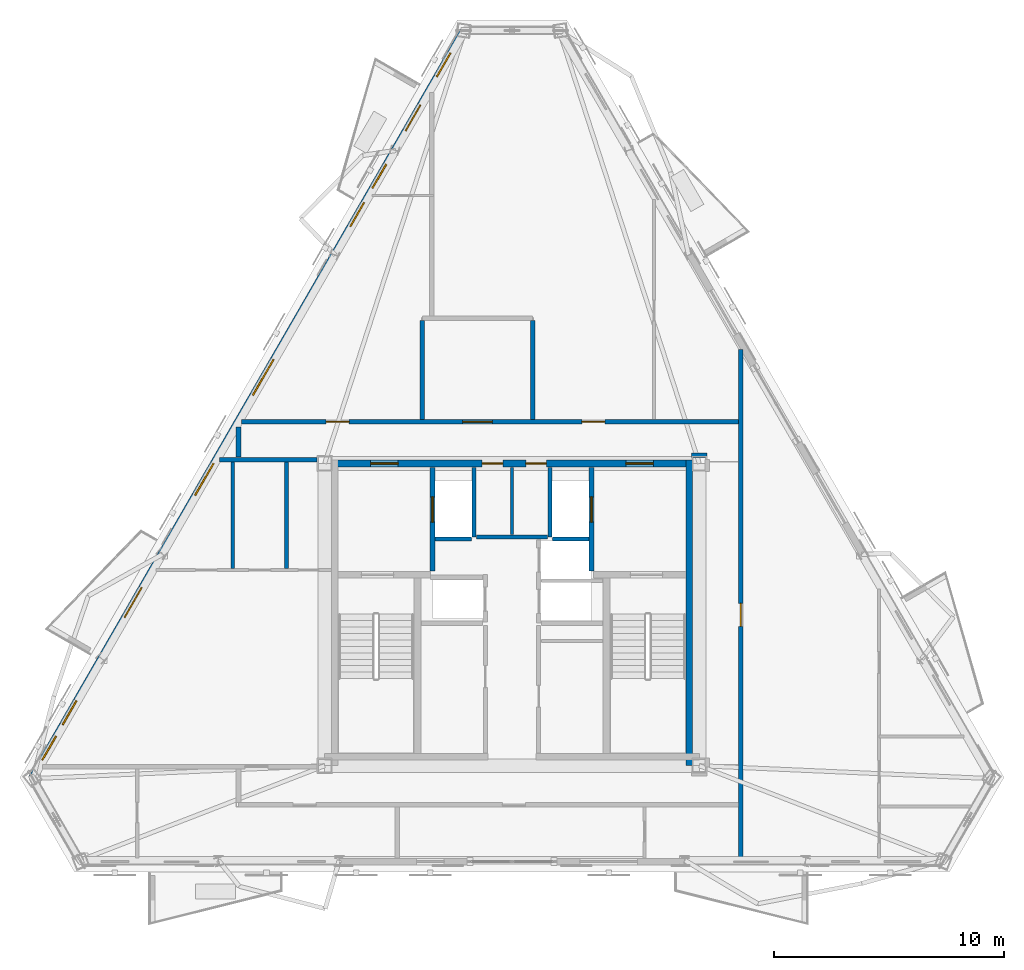
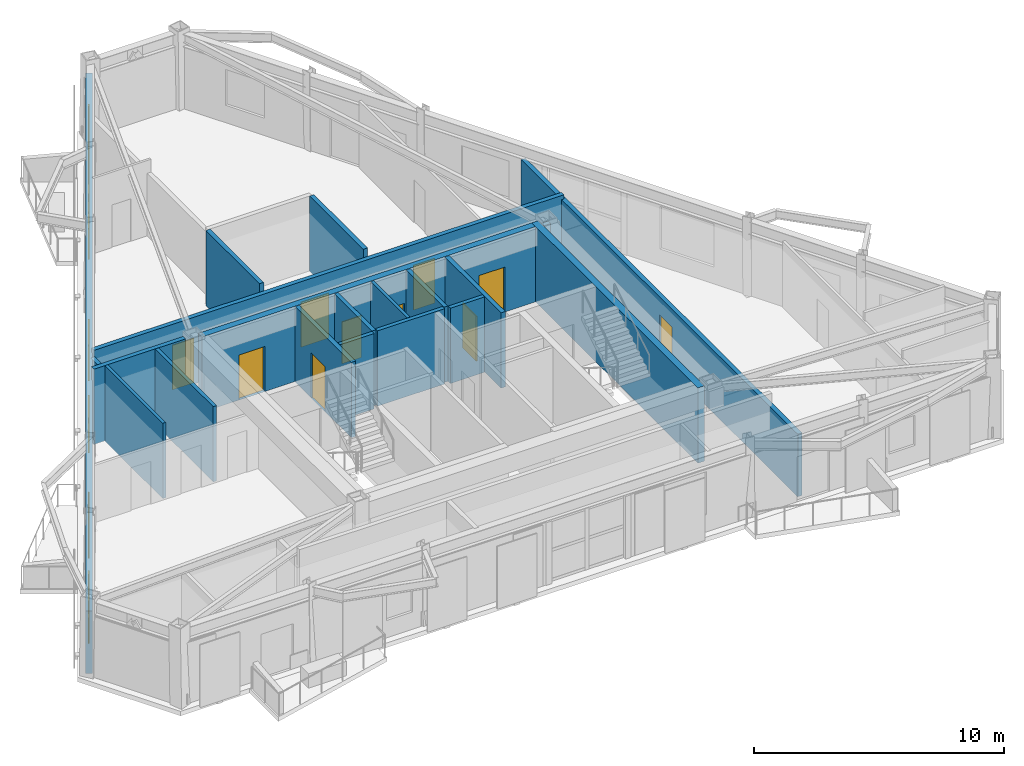
# One storey, part 9 of 15: 20 walls, 12 doors, 7 windows, 19 openings.
"""IFC4 building model written with IfcOpenShell, lengths in metres."""

from ifc_helpers import new_model, si_unit, direction, frame, frame_2d, origin, place, context, subcontext, project, spatial, rectangle, extrude, material, layer, layer_set, type_object, element, fill, save


model = new_model("IFC4")

# Units and contexts
model_context = context("Model", 3, precision=1e-05, world=origin(), true_north=direction((0.0, 1.0)))
body_context = subcontext(model_context, "Body", "Model", "MODEL_VIEW")
ifc_project = project(units=[si_unit("LENGTHUNIT", "METRE"), si_unit("AREAUNIT", "SQUARE_METRE"), si_unit("VOLUMEUNIT", "CUBIC_METRE"), si_unit("PLANEANGLEUNIT", "RADIAN"), si_unit("MASSUNIT", "GRAM", prefix="KILO")], contexts=[model_context])

# Site, building, storey
site_placement = place(None, origin())
site = spatial("IfcSite", under=ifc_project, at=site_placement, CompositionType="ELEMENT")
building_placement = place(site_placement, origin())
building = spatial("IfcBuilding", under=site, at=building_placement, Name="Oramaril Tower", CompositionType="ELEMENT")
storey_placement = place(building_placement, frame((0.0, 0.0, 288.89990234375)))
storey = spatial("IfcBuildingStorey", under=building, at=storey_placement, Name="L76", CompositionType="ELEMENT", Elevation=288.89990234375)

# Wall, openings, doors, windows
ifc_material_1 = material(Name="Warm Cream Limestone", Category="masonry")
ifc_layer_1 = layer(ifc_material_1, 0.2900390625)
ifc_layer_set_1 = layer_set([ifc_layer_1], Name="WT-EXT29")
wall_type_1 = type_object("IfcWallType", Name="WT-EXT29", PredefinedType="SOLIDWALL", material=ifc_layer_set_1)
wall_1_placement = place(storey_placement, frame((35.386962890625, 42.985595703125, 0.0), z_axis=(0.0, 0.0, 1.0), x_axis=(-0.499995967686, -0.86602773183, 0.0)))
wall_1 = element("IfcWall", 1, at=wall_1_placement, inside=storey, type_object=wall_type_1, Name="L76 Tower Limestone Facade Wall 6M", PredefinedType="SOLIDWALL", context=body_context, shape_type="SweptSolid", body=[
    extrude(rectangle(XDim=37.525634765625, YDim=0.2900390625, at=frame_2d((18.7626953125, 0.0))), origin(), (0.0, 0.0, 1.0), 3.05810546875),
])
opening_1_placement = place(wall_1_placement, frame((3.739501953125, 0.0, 0.0)))
opening_1 = element("IfcOpeningElement", 2, at=opening_1_placement, cuts=wall_1, Name="Opening D-L76-BAL-NW1", PredefinedType="OPENING", context=body_context, shape_type="SweptSolid", body=[
    extrude(rectangle(XDim=1.300048828125, YDim=2.199951171875, at=frame_2d((0.64990234375, 1.10009765625))), frame((0.0, 0.14501953125, 0.0), z_axis=(0.0, -1.0, 0.0), x_axis=(1.0, 0.0, 0.0)), (0.0, 0.0, 1.0), 0.2900390625),
])
opening_2_placement = place(wall_1_placement, frame((27.9912109375, 0.0, 0.0)))
opening_2 = element("IfcOpeningElement", 3, at=opening_2_placement, cuts=wall_1, Name="Opening D-L76-BAL-NW2", PredefinedType="OPENING", context=body_context, shape_type="SweptSolid", body=[
    extrude(rectangle(XDim=1.5, YDim=2.199951171875, at=frame_2d((0.75, 1.10009765625))), frame((0.0, 0.14501953125, 0.0), z_axis=(0.0, -1.0, 0.0), x_axis=(1.0, 0.0, 0.0)), (0.0, 0.0, 1.0), 0.2900390625),
])
opening_3_placement = place(wall_1_placement, frame((35.454345703125, 0.0, 0.85009765625)))
opening_3 = element("IfcOpeningElement", 4, at=opening_3_placement, cuts=wall_1, Name="Opening WN-09", PredefinedType="OPENING", context=body_context, shape_type="SweptSolid", body=[
    extrude(rectangle(XDim=1.199951171875, YDim=1.47998046875, at=frame_2d((0.60009765625, 0.739990234375))), frame((0.0, 0.14501953125, 0.0), z_axis=(0.0, -1.0, 0.0), x_axis=(1.0, 0.0, 0.0)), (0.0, 0.0, 1.0), 0.2900390625),
])
opening_4_placement = place(wall_1_placement, frame((33.673828125, 0.0, 0.85009765625)))
opening_4 = element("IfcOpeningElement", 5, at=opening_4_placement, cuts=wall_1, Name="Opening WN-09", PredefinedType="OPENING", context=body_context, shape_type="SweptSolid", body=[
    extrude(rectangle(XDim=1.199951171875, YDim=1.47998046875, at=frame_2d((0.60009765625, 0.739990234375))), frame((0.0, 0.14501953125, 0.0), z_axis=(0.0, -1.0, 0.0), x_axis=(1.0, 0.0, 0.0)), (0.0, 0.0, 1.0), 0.2900390625),
])
opening_5_placement = place(wall_1_placement, frame((21.74609375, 0.0, 0.85009765625)))
opening_5 = element("IfcOpeningElement", 6, at=opening_5_placement, cuts=wall_1, Name="Opening WN-07", PredefinedType="OPENING", context=body_context, shape_type="SweptSolid", body=[
    extrude(rectangle(XDim=1.60009765625, YDim=1.699951171875, at=frame_2d((0.800048828125, 0.85009765625))), frame((0.0, 0.14501953125, 0.0), z_axis=(0.0, -1.0, 0.0), x_axis=(1.0, 0.0, 0.0)), (0.0, 0.0, 1.0), 0.2900390625),
])
opening_6_placement = place(wall_1_placement, frame((8.64208984375, 0.0, 0.85009765625)))
opening_6 = element("IfcOpeningElement", 7, at=opening_6_placement, cuts=wall_1, Name="Opening WN-09", PredefinedType="OPENING", context=body_context, shape_type="SweptSolid", body=[
    extrude(rectangle(XDim=1.199951171875, YDim=1.47998046875, at=frame_2d((0.60009765625, 0.739990234375))), frame((0.0, 0.14501953125, 0.0), z_axis=(0.0, -1.0, 0.0), x_axis=(1.0, 0.0, 0.0)), (0.0, 0.0, 1.0), 0.2900390625),
])
opening_7_placement = place(wall_1_placement, frame((16.522705078125, 0.0, 0.85009765625)))
opening_7 = element("IfcOpeningElement", 8, at=opening_7_placement, cuts=wall_1, Name="Opening WN-06", PredefinedType="OPENING", context=body_context, shape_type="SweptSolid", body=[
    extrude(rectangle(XDim=1.800048828125, YDim=1.75, at=frame_2d((0.89990234375, 0.875))), frame((0.0, 0.14501953125, 0.0), z_axis=(0.0, -1.0, 0.0), x_axis=(1.0, 0.0, 0.0)), (0.0, 0.0, 1.0), 0.2900390625),
])
opening_8_placement = place(wall_1_placement, frame((6.715087890625, 0.0, 0.85009765625)))
opening_8 = element("IfcOpeningElement", 9, at=opening_8_placement, cuts=wall_1, Name="Opening WN-09", PredefinedType="OPENING", context=body_context, shape_type="SweptSolid", body=[
    extrude(rectangle(XDim=1.199951171875, YDim=1.47998046875, at=frame_2d((0.60009765625, 0.739990234375))), frame((0.0, 0.14501953125, 0.0), z_axis=(0.0, -1.0, 0.0), x_axis=(1.0, 0.0, 0.0)), (0.0, 0.0, 1.0), 0.2900390625),
])
opening_9_placement = place(wall_1_placement, frame((1.12451171875, 0.0, 0.85009765625)))
opening_9 = element("IfcOpeningElement", 10, at=opening_9_placement, cuts=wall_1, Name="Opening WN-09", PredefinedType="OPENING", context=body_context, shape_type="SweptSolid", body=[
    extrude(rectangle(XDim=1.199951171875, YDim=1.47998046875, at=frame_2d((0.60009765625, 0.739990234375))), frame((0.0, 0.14501953125, 0.0), z_axis=(0.0, -1.0, 0.0), x_axis=(1.0, 0.0, 0.0)), (0.0, 0.0, 1.0), 0.2900390625),
])
ifc_material_2 = material(Name="Anodised Aluminium 6063-T6", Category="aluminium")
door_type_1 = type_object("IfcDoorType", Name="DT-BAL", OperationType="NOTDEFINED", PredefinedType="DOOR", material=ifc_material_2)
door_1_placement = place(opening_2_placement, origin())
door_1 = element("IfcDoor", 11, at=door_1_placement, inside=storey, type_object=door_type_1, Name="L76 Balcony Glazed Door L76-BAL-NW2", OperationType="SINGLE_SWING_RIGHT", OverallHeight=2.199951171875, OverallWidth=1.5, PredefinedType="DOOR", context=body_context, shape_type="SweptSolid", body=[
    extrude(rectangle(XDim=1.5, YDim=2.199951171875, at=frame_2d((0.75, 1.10009765625))), frame((0.0, 0.02490234375, 0.0), z_axis=(0.0, -1.0, 0.0), x_axis=(1.0, 0.0, 0.0)), (0.0, 0.0, 1.0), 0.050048828125),
])
fill(opening_2, door_1)
ifc_material_3 = material(Name="Anodised Aluminium 6063-T6", Category="aluminium")
door_type_2 = type_object("IfcDoorType", Name="DT-E2", OperationType="NOTDEFINED", PredefinedType="DOOR", material=ifc_material_3)
door_2_placement = place(opening_1_placement, origin())
door_2 = element("IfcDoor", 12, at=door_2_placement, inside=storey, type_object=door_type_2, Name="L76 Balcony Glazed Door L76-BAL-NW1", OperationType="SINGLE_SWING_LEFT", OverallHeight=2.199951171875, OverallWidth=1.300048828125, PredefinedType="DOOR", context=body_context, shape_type="SweptSolid", body=[
    extrude(rectangle(XDim=1.300048828125, YDim=2.199951171875, at=frame_2d((0.64990234375, 1.10009765625))), frame((0.0, 0.02490234375, 0.0), z_axis=(0.0, -1.0, 0.0), x_axis=(1.0, 0.0, 0.0)), (0.0, 0.0, 1.0), 0.050048828125),
])
fill(opening_1, door_2)
ifc_material_4 = material(Name="Coastal Low-E Insulated Glass", Category="glass")
window_type_1 = type_object("IfcWindowType", Name="WNT-06", PartitioningType="SINGLE_PANEL", PredefinedType="WINDOW", material=ifc_material_4)
window_1_placement = place(opening_7_placement, origin())
window_1 = element("IfcWindow", 13, at=window_1_placement, inside=storey, type_object=window_type_1, Name="L76 Chicago Bay Window WN-06", OverallHeight=1.75, OverallWidth=1.800048828125, PartitioningType="SINGLE_PANEL", PredefinedType="WINDOW", context=body_context, shape_type="SweptSolid", body=[
    extrude(rectangle(XDim=1.800048828125, YDim=1.75, at=frame_2d((0.89990234375, 0.875))), frame((0.0, 0.030029296875, 0.0), z_axis=(0.0, -1.0, 0.0), x_axis=(1.0, 0.0, 0.0)), (0.0, 0.0, 1.0), 0.06005859375),
])
fill(opening_7, window_1)
ifc_material_5 = material(Name="Coastal Low-E Insulated Glass", Category="glass")
window_type_2 = type_object("IfcWindowType", Name="WNT-07", PartitioningType="SINGLE_PANEL", PredefinedType="WINDOW", material=ifc_material_5)
window_2_placement = place(opening_5_placement, origin())
window_2 = element("IfcWindow", 14, at=window_2_placement, inside=storey, type_object=window_type_2, Name="L76 Chicago Bay Window WN-07", OverallHeight=1.699951171875, OverallWidth=1.60009765625, PartitioningType="SINGLE_PANEL", PredefinedType="WINDOW", context=body_context, shape_type="SweptSolid", body=[
    extrude(rectangle(XDim=1.60009765625, YDim=1.699951171875, at=frame_2d((0.800048828125, 0.85009765625))), frame((0.0, 0.030029296875, 0.0), z_axis=(0.0, -1.0, 0.0), x_axis=(1.0, 0.0, 0.0)), (0.0, 0.0, 1.0), 0.06005859375),
])
fill(opening_5, window_2)
ifc_material_6 = material(Name="Coastal Low-E Insulated Glass", Category="glass")
window_type_3 = type_object("IfcWindowType", Name="WNT-09", PartitioningType="SINGLE_PANEL", PredefinedType="WINDOW", material=ifc_material_6)
window_3_placement = place(opening_3_placement, origin())
window_3 = element("IfcWindow", 15, at=window_3_placement, inside=storey, type_object=window_type_3, Name="L76 Chicago Bay Window WN-09", OverallHeight=1.47998046875, OverallWidth=1.199951171875, PartitioningType="SINGLE_PANEL", PredefinedType="WINDOW", context=body_context, shape_type="SweptSolid", body=[
    extrude(rectangle(XDim=1.199951171875, YDim=1.47998046875, at=frame_2d((0.60009765625, 0.739990234375))), frame((0.0, 0.030029296875, 0.0), z_axis=(0.0, -1.0, 0.0), x_axis=(1.0, 0.0, 0.0)), (0.0, 0.0, 1.0), 0.06005859375),
])
fill(opening_3, window_3)
window_4_placement = place(opening_4_placement, origin())
window_4 = element("IfcWindow", 16, at=window_4_placement, inside=storey, type_object=window_type_3, Name="L76 Chicago Bay Window WN-09", OverallHeight=1.47998046875, OverallWidth=1.199951171875, PartitioningType="SINGLE_PANEL", PredefinedType="WINDOW", context=body_context, shape_type="SweptSolid", body=[
    extrude(rectangle(XDim=1.199951171875, YDim=1.47998046875, at=frame_2d((0.60009765625, 0.739990234375))), frame((0.0, 0.030029296875, 0.0), z_axis=(0.0, -1.0, 0.0), x_axis=(1.0, 0.0, 0.0)), (0.0, 0.0, 1.0), 0.06005859375),
])
fill(opening_4, window_4)
window_5_placement = place(opening_6_placement, origin())
window_5 = element("IfcWindow", 17, at=window_5_placement, inside=storey, type_object=window_type_3, Name="L76 Chicago Bay Window WN-09", OverallHeight=1.47998046875, OverallWidth=1.199951171875, PartitioningType="SINGLE_PANEL", PredefinedType="WINDOW", context=body_context, shape_type="SweptSolid", body=[
    extrude(rectangle(XDim=1.199951171875, YDim=1.47998046875, at=frame_2d((0.60009765625, 0.739990234375))), frame((0.0, 0.030029296875, 0.0), z_axis=(0.0, -1.0, 0.0), x_axis=(1.0, 0.0, 0.0)), (0.0, 0.0, 1.0), 0.06005859375),
])
fill(opening_6, window_5)
window_6_placement = place(opening_8_placement, origin())
window_6 = element("IfcWindow", 18, at=window_6_placement, inside=storey, type_object=window_type_3, Name="L76 Chicago Bay Window WN-09", OverallHeight=1.47998046875, OverallWidth=1.199951171875, PartitioningType="SINGLE_PANEL", PredefinedType="WINDOW", context=body_context, shape_type="SweptSolid", body=[
    extrude(rectangle(XDim=1.199951171875, YDim=1.47998046875, at=frame_2d((0.60009765625, 0.739990234375))), frame((0.0, 0.030029296875, 0.0), z_axis=(0.0, -1.0, 0.0), x_axis=(1.0, 0.0, 0.0)), (0.0, 0.0, 1.0), 0.06005859375),
])
fill(opening_8, window_6)
window_7_placement = place(opening_9_placement, origin())
window_7 = element("IfcWindow", 19, at=window_7_placement, inside=storey, type_object=window_type_3, Name="L76 Chicago Bay Window WN-09", OverallHeight=1.47998046875, OverallWidth=1.199951171875, PartitioningType="SINGLE_PANEL", PredefinedType="WINDOW", context=body_context, shape_type="SweptSolid", body=[
    extrude(rectangle(XDim=1.199951171875, YDim=1.47998046875, at=frame_2d((0.60009765625, 0.739990234375))), frame((0.0, 0.030029296875, 0.0), z_axis=(0.0, -1.0, 0.0), x_axis=(1.0, 0.0, 0.0)), (0.0, 0.0, 1.0), 0.06005859375),
])
fill(opening_9, window_7)

# Walls
ifc_material_7 = material(Name="Acoustic Gypsum Board Partition")
ifc_layer_2 = layer(ifc_material_7, 0.139892578125)
ifc_layer_set_2 = layer_set([ifc_layer_2], Name="WT-PT14")
wall_type_2 = type_object("IfcWallType", Name="WT-PT14", PredefinedType="PARTITIONING", material=ifc_layer_set_2)
wall_2_placement = place(storey_placement, frame((37.5, 21.06005859375, 0.0), z_axis=(0.0, 0.0, 1.0), x_axis=(0.0, 1.0, 0.0)))
element("IfcWall", 20, at=wall_2_placement, inside=storey, type_object=wall_type_2, Name="L76 Core Service Divider", PredefinedType="PARTITIONING", context=body_context, shape_type="SweptSolid", body=[
    extrude(rectangle(XDim=2.919921875, YDim=0.139892578125, at=frame_2d((1.4599609375, 0.0))), origin(), (0.0, 0.0, 1.0), 3.68017578125),
])
wall_3_placement = place(storey_placement, frame((25.35009765625, 19.573974609375, 0.0), z_axis=(0.0, 0.0, 1.0), x_axis=(0.0, 1.0, 0.0)))
element("IfcWall", 21, at=wall_3_placement, inside=storey, type_object=wall_type_2, Name="L76 Interior Partition PT-14", PredefinedType="PARTITIONING", context=body_context, shape_type="SweptSolid", body=[
    extrude(rectangle(XDim=4.64208984375, YDim=0.139892578125, at=frame_2d((2.321044921875, 0.0))), origin(), (0.0, 0.0, 1.0), 3.68017578125),
])
ifc_material_8 = material(Name="Acoustic Gypsum Board Partition")
ifc_layer_3 = layer(ifc_material_8, 0.159912109375)
ifc_layer_set_3 = layer_set([ifc_layer_3], Name="WT-PT16")
wall_type_3 = type_object("IfcWallType", Name="WT-PT16", PredefinedType="PARTITIONING", material=ifc_layer_set_3)
wall_4_placement = place(storey_placement, frame((27.68994140625, 19.573974609375, 0.0), z_axis=(0.0, 0.0, 1.0), x_axis=(0.0, 1.0, 0.0)))
element("IfcWall", 22, at=wall_4_placement, inside=storey, type_object=wall_type_3, Name="L76 Interior Partition PT-16", PredefinedType="PARTITIONING", context=body_context, shape_type="SweptSolid", body=[
    extrude(rectangle(XDim=4.64208984375, YDim=0.159912109375, at=frame_2d((2.321044921875, 0.0))), origin(), (0.0, 0.0, 1.0), 3.68017578125),
])
ifc_material_9 = material(Name="Autoclaved Cellular Concrete Block", Category="concrete")
ifc_layer_4 = layer(ifc_material_9, 0.179931640625)
ifc_layer_set_4 = layer_set([ifc_layer_4], Name="WT-PT18")
wall_type_4 = type_object("IfcWallType", Name="WT-PT18", PredefinedType="PARTITIONING", material=ifc_layer_set_4)
wall_5_placement = place(storey_placement, frame((35.840087890625, 20.9599609375, 0.0), z_axis=(0.0, 0.0, 1.0), x_axis=(0.0, 1.0, 0.0)))
element("IfcWall", 23, at=wall_5_placement, inside=storey, type_object=wall_type_4, Name="L76 FL-1 East Shaft Wall", PredefinedType="PARTITIONING", context=body_context, shape_type="SweptSolid", body=[
    extrude(rectangle(XDim=3.02001953125, YDim=0.179931640625, at=frame_2d((1.510009765625, 0.0))), origin(), (0.0, 0.0, 1.0), 3.68017578125),
])
wall_6_placement = place(storey_placement, frame((34.159912109375, 20.860107421875, 0.0), z_axis=(0.0, 0.0, 1.0), x_axis=(1.0, 0.0, 0.0)))
element("IfcWall", 24, at=wall_6_placement, inside=storey, type_object=wall_type_4, Name="L76 FL-1 South Shaft Wall", PredefinedType="PARTITIONING", context=body_context, shape_type="SweptSolid", body=[
    extrude(rectangle(XDim=1.580078125, YDim=0.179931640625, at=frame_2d((0.7900390625, 0.0))), origin(), (0.0, 0.0, 1.0), 3.68017578125),
])
wall_7_placement = place(storey_placement, frame((39.159912109375, 20.9599609375, 0.0), z_axis=(0.0, 0.0, 1.0), x_axis=(0.0, 1.0, 0.0)))
element("IfcWall", 25, at=wall_7_placement, inside=storey, type_object=wall_type_4, Name="L76 FL-2 West Shaft Wall", PredefinedType="PARTITIONING", context=body_context, shape_type="SweptSolid", body=[
    extrude(rectangle(XDim=3.02001953125, YDim=0.179931640625, at=frame_2d((1.510009765625, 0.0))), origin(), (0.0, 0.0, 1.0), 3.68017578125),
])
wall_8_placement = place(storey_placement, frame((39.260009765625, 20.860107421875, 0.0), z_axis=(0.0, 0.0, 1.0), x_axis=(1.0, 0.0, 0.0)))
element("IfcWall", 26, at=wall_8_placement, inside=storey, type_object=wall_type_4, Name="L76 FL-2 South Shaft Wall", PredefinedType="PARTITIONING", context=body_context, shape_type="SweptSolid", body=[
    extrude(rectangle(XDim=1.580078125, YDim=0.179931640625, at=frame_2d((0.7900390625, 0.0))), origin(), (0.0, 0.0, 1.0), 3.68017578125),
])
wall_9_placement = place(storey_placement, frame((35.949951171875, 20.949951171875, 0.0), z_axis=(0.0, 0.0, 1.0), x_axis=(1.0, 0.0, 0.0)))
element("IfcWall", 27, at=wall_9_placement, inside=storey, type_object=wall_type_4, Name="L76 Lift Lobby North Partition", PredefinedType="PARTITIONING", context=body_context, shape_type="SweptSolid", body=[
    extrude(rectangle(XDim=3.10009765625, YDim=0.179931640625, at=frame_2d((1.550048828125, 0.0))), origin(), (0.0, 0.0, 1.0), 3.68017578125),
])
ifc_material_10 = material(Name="Autoclaved Cellular Concrete Block", Category="concrete")
ifc_layer_5 = layer(ifc_material_10, 0.199951171875)
ifc_layer_set_5 = layer_set([ifc_layer_5], Name="WT-PT20")
wall_type_5 = type_object("IfcWallType", Name="WT-PT20", PredefinedType="PARTITIONING", material=ifc_layer_set_5)
wall_10_placement = place(storey_placement, frame((24.78271484375, 24.320068359375, 0.0), z_axis=(0.0, 0.0, 1.0), x_axis=(1.0, 0.0, 0.0)))
element("IfcWall", 28, at=wall_10_placement, inside=storey, type_object=wall_type_5, Name="L76 Interior Partition PT-20", PredefinedType="PARTITIONING", context=body_context, shape_type="SweptSolid", body=[
    extrude(rectangle(XDim=4.227294921875, YDim=0.199951171875, at=frame_2d((2.11376953125, 0.0))), origin(), (0.0, 0.0, 1.0), 3.68017578125),
])
wall_11_placement = place(storey_placement, frame((45.304931640625, 24.5, 0.0), z_axis=(0.0, 0.0, 1.0), x_axis=(1.0, 0.0, 0.0)))
element("IfcWall", 29, at=wall_11_placement, inside=storey, type_object=wall_type_5, Name="L76 Interior Partition PT-20", PredefinedType="PARTITIONING", context=body_context, shape_type="SweptSolid", body=[
    extrude(rectangle(XDim=0.690185546875, YDim=0.199951171875, at=frame_2d((0.34521484375, 0.0))), origin(), (0.0, 0.0, 1.0), 3.26611328125),
])

# Wall, openings, doors
wall_12_placement = place(storey_placement, frame((25.735107421875, 25.969970703125, 0.0), z_axis=(0.0, 0.0, 1.0), x_axis=(1.0, 0.0, 0.0)))
wall_12 = element("IfcWall", 30, at=wall_12_placement, inside=storey, type_object=wall_type_5, Name="L76 Interior Partition PT-20", PredefinedType="PARTITIONING", context=body_context, shape_type="SweptSolid", body=[
    extrude(rectangle(XDim=21.71484375, YDim=0.199951171875, at=frame_2d((10.857421875, 0.0))), origin(), (0.0, 0.0, 1.0), 3.26611328125),
])
opening_10_placement = place(wall_12_placement, frame((3.6748046875, 0.0, 0.0)))
opening_10 = element("IfcOpeningElement", 31, at=opening_10_placement, cuts=wall_12, Name="Opening D-L76-07", PredefinedType="OPENING", context=body_context, shape_type="SweptSolid", body=[
    extrude(rectangle(XDim=1.0, YDim=2.179931640625, at=frame_2d((0.5, 1.08984375))), frame((0.0, 0.10009765625, 0.0), z_axis=(0.0, -1.0, 0.0), x_axis=(1.0, 0.0, 0.0)), (0.0, 0.0, 1.0), 0.199951171875),
])
opening_11_placement = place(wall_12_placement, frame((9.61474609375, 0.0, 0.0)))
opening_11 = element("IfcOpeningElement", 32, at=opening_11_placement, cuts=wall_12, Name="Opening D-L76-08", PredefinedType="OPENING", context=body_context, shape_type="SweptSolid", body=[
    extrude(rectangle(XDim=1.300048828125, YDim=2.199951171875, at=frame_2d((0.64990234375, 1.10009765625))), frame((0.0, 0.10009765625, 0.0), z_axis=(0.0, -1.0, 0.0), x_axis=(1.0, 0.0, 0.0)), (0.0, 0.0, 1.0), 0.199951171875),
])
opening_12_placement = place(wall_12_placement, frame((14.806884765625, 0.0, 0.0)))
opening_12 = element("IfcOpeningElement", 33, at=opening_12_placement, cuts=wall_12, Name="Opening D-L76-09", PredefinedType="OPENING", context=body_context, shape_type="SweptSolid", body=[
    extrude(rectangle(XDim=1.0, YDim=2.179931640625, at=frame_2d((0.5, 1.08984375))), frame((0.0, 0.10009765625, 0.0), z_axis=(0.0, -1.0, 0.0), x_axis=(1.0, 0.0, 0.0)), (0.0, 0.0, 1.0), 0.199951171875),
])
ifc_material_11 = material(Name="FSC Brazilian Freijo Hardwood", Category="wood")
door_type_3 = type_object("IfcDoorType", Name="DT-APT", OperationType="NOTDEFINED", PredefinedType="DOOR", material=ifc_material_11)
door_3_placement = place(opening_10_placement, origin())
door_3 = element("IfcDoor", 34, at=door_3_placement, inside=storey, type_object=door_type_3, Name="L76 Flat L76-U5 Kitchen and Studio Apartment Door D-L76-07", OperationType="SINGLE_SWING_LEFT", OverallHeight=2.179931640625, OverallWidth=1.0, PredefinedType="DOOR", context=body_context, shape_type="SweptSolid", body=[
    extrude(rectangle(XDim=1.0, YDim=2.179931640625, at=frame_2d((0.5, 1.08984375))), frame((0.0, 0.02490234375, 0.0), z_axis=(0.0, -1.0, 0.0), x_axis=(1.0, 0.0, 0.0)), (0.0, 0.0, 1.0), 0.050048828125),
])
fill(opening_10, door_3)
door_4_placement = place(opening_12_placement, origin())
door_4 = element("IfcDoor", 35, at=door_4_placement, inside=storey, type_object=door_type_3, Name="L76 Flat L76-U6 Kitchen and Studio Apartment Door D-L76-09", OperationType="SINGLE_SWING_LEFT", OverallHeight=2.179931640625, OverallWidth=1.0, PredefinedType="DOOR", context=body_context, shape_type="SweptSolid", body=[
    extrude(rectangle(XDim=1.0, YDim=2.179931640625, at=frame_2d((0.5, 1.08984375))), frame((0.0, 0.02490234375, 0.0), z_axis=(0.0, -1.0, 0.0), x_axis=(1.0, 0.0, 0.0)), (0.0, 0.0, 1.0), 0.050048828125),
])
fill(opening_12, door_4)
ifc_material_12 = material(Name="FSC Brazilian Freijo Hardwood", Category="wood")
door_type_4 = type_object("IfcDoorType", Name="DT-COM", OperationType="NOTDEFINED", PredefinedType="DOOR", material=ifc_material_12)
door_5_placement = place(opening_11_placement, origin())
door_5 = element("IfcDoor", 36, at=door_5_placement, inside=storey, type_object=door_type_4, Name="L76 L76 Floor Co-Working Office Suite Door D-L76-08", OperationType="SINGLE_SWING_RIGHT", OverallHeight=2.199951171875, OverallWidth=1.300048828125, PredefinedType="DOOR", context=body_context, shape_type="SweptSolid", body=[
    extrude(rectangle(XDim=1.300048828125, YDim=2.199951171875, at=frame_2d((0.64990234375, 1.10009765625))), frame((0.0, 0.02490234375, 0.0), z_axis=(0.0, -1.0, 0.0), x_axis=(1.0, 0.0, 0.0)), (0.0, 0.0, 1.0), 0.050048828125),
])
fill(opening_11, door_5)

# Walls
wall_13_placement = place(storey_placement, frame((25.60009765625, 24.424072265625, 0.0), z_axis=(0.0, 0.0, 1.0), x_axis=(0.0, 1.0, 0.0)))
element("IfcWall", 37, at=wall_13_placement, inside=storey, type_object=wall_type_5, Name="L76 Interior Partition PT-20", PredefinedType="PARTITIONING", context=body_context, shape_type="SweptSolid", body=[
    extrude(rectangle(XDim=1.309814453125, YDim=0.199951171875, at=frame_2d((0.65478515625, 0.0))), origin(), (0.0, 0.0, 1.0), 3.05810546875),
])
for number, where, z_axis, x_axis, name in (
    (38, (33.60009765625, 26.073974609375, 0.0), (0.0, 0.0, 1.0), (0.0, 1.0, 0.0), "L76 Interior Partition PT-20"),
    (39, (38.39990234375, 26.073974609375, 0.0), (0.0, 0.0, 1.0), (0.0, 1.0, 0.0), "L76 Interior Partition PT-20"),
):
    element("IfcWall", number, at=place(storey_placement, frame(where, z_axis=z_axis, x_axis=x_axis)), inside=storey, type_object=wall_type_5, Name=name, PredefinedType="PARTITIONING", context=body_context, shape_type="SweptSolid", body=[
        extrude(rectangle(XDim=4.2919921875, YDim=0.199951171875, at=frame_2d((2.14599609375, 0.0))), origin(), (0.0, 0.0, 1.0), 3.68017578125),
    ])

# Wall, opening, door
wall_14_placement = place(storey_placement, frame((47.449951171875, 6.976318359375, 0.0), z_axis=(0.0, 0.0, 1.0), x_axis=(0.0, 1.0, 0.0)))
wall_14 = element("IfcWall", 40, at=wall_14_placement, inside=storey, type_object=wall_type_5, Name="L76 Interior Partition PT-20", PredefinedType="PARTITIONING", context=body_context, shape_type="SweptSolid", body=[
    extrude(rectangle(XDim=22.136962890625, YDim=0.199951171875, at=frame_2d((11.068359375, 0.0))), origin(), (0.0, 0.0, 1.0), 3.05810546875),
])
opening_13_placement = place(wall_14_placement, frame((10.083984375, 0.0, 0.0)))
opening_13 = element("IfcOpeningElement", 41, at=opening_13_placement, cuts=wall_14, Name="Opening D-L76-14", PredefinedType="OPENING", context=body_context, shape_type="SweptSolid", body=[
    extrude(rectangle(XDim=1.0, YDim=2.179931640625, at=frame_2d((0.5, 1.08984375))), frame((0.0, 0.10009765625, 0.0), z_axis=(0.0, -1.0, 0.0), x_axis=(1.0, 0.0, 0.0)), (0.0, 0.0, 1.0), 0.199951171875),
])
door_6_placement = place(opening_13_placement, origin())
door_6 = element("IfcDoor", 42, at=door_6_placement, inside=storey, type_object=door_type_3, Name="L76 Flat L76-U4 Penthouse Living and Dining Room Door D-L76-14", OperationType="SINGLE_SWING_RIGHT", OverallHeight=2.179931640625, OverallWidth=1.0, PredefinedType="DOOR", context=body_context, shape_type="SweptSolid", body=[
    extrude(rectangle(XDim=1.0, YDim=2.179931640625, at=frame_2d((0.5, 1.08984375))), frame((0.0, 0.02490234375, 0.0), z_axis=(0.0, -1.0, 0.0), x_axis=(1.0, 0.0, 0.0)), (0.0, 0.0, 1.0), 0.050048828125),
])
fill(opening_13, door_6)

# Wall
ifc_material_13 = material(Name="Concrete C50/60", Category="concrete")
ifc_layer_6 = layer(ifc_material_13, 0.300048828125)
ifc_layer_set_6 = layer_set([ifc_layer_6], Name="WT-SH30")
wall_type_6 = type_object("IfcWallType", Name="WT-SH30", PredefinedType="SHEAR", material=ifc_layer_set_6)
wall_15_placement = place(storey_placement, frame((45.2099609375, 11.0, 0.0), z_axis=(0.0, 0.0, 1.0), x_axis=(0.0, 1.0, 0.0)))
element("IfcWall", 43, at=wall_15_placement, inside=storey, type_object=wall_type_6, Name="L76 Core Shear Wall CW-E", PredefinedType="SHEAR", context=body_context, shape_type="SweptSolid", body=[
    extrude(rectangle(XDim=13.300048828125, YDim=0.300048828125, at=frame_2d((6.64990234375, 0.0))), origin(), (0.0, 0.0, 1.0), 3.68017578125),
])

# Wall, openings, doors
wall_16_placement = place(storey_placement, frame((29.64990234375, 24.14990234375, 0.0), z_axis=(0.0, 0.0, 1.0), x_axis=(1.0, 0.0, 0.0)))
wall_16 = element("IfcWall", 44, at=wall_16_placement, inside=storey, type_object=wall_type_6, Name="L76 Core Shear Wall CW-N", PredefinedType="SHEAR", context=body_context, shape_type="SweptSolid", body=[
    extrude(rectangle(XDim=15.7001953125, YDim=0.300048828125, at=frame_2d((7.85009765625, 0.0))), origin(), (0.0, 0.0, 1.0), 3.68017578125),
])
opening_14_placement = place(wall_16_placement, frame((1.699951171875, 0.0, 0.0)))
opening_14 = element("IfcOpeningElement", 45, at=opening_14_placement, cuts=wall_16, Name="Opening D-L76-FFL1", PredefinedType="OPENING", context=body_context, shape_type="SweptSolid", body=[
    extrude(rectangle(XDim=1.199951171875, YDim=2.199951171875, at=frame_2d((0.60009765625, 1.10009765625))), frame((0.0, 0.14990234375, 0.0), z_axis=(0.0, -1.0, 0.0), x_axis=(1.0, 0.0, 0.0)), (0.0, 0.0, 1.0), 0.300048828125),
])
opening_15_placement = place(wall_16_placement, frame((12.800048828125, 0.0, 0.0)))
opening_15 = element("IfcOpeningElement", 46, at=opening_15_placement, cuts=wall_16, Name="Opening D-L76-FFL2", PredefinedType="OPENING", context=body_context, shape_type="SweptSolid", body=[
    extrude(rectangle(XDim=1.199951171875, YDim=2.199951171875, at=frame_2d((0.60009765625, 1.10009765625))), frame((0.0, 0.14990234375, 0.0), z_axis=(0.0, -1.0, 0.0), x_axis=(1.0, 0.0, 0.0)), (0.0, 0.0, 1.0), 0.300048828125),
])
opening_16_placement = place(wall_16_placement, frame((6.550048828125, 0.0, 0.0)))
opening_16 = element("IfcOpeningElement", 47, at=opening_16_placement, cuts=wall_16, Name="Opening D-L76-SV1", PredefinedType="OPENING", context=body_context, shape_type="SweptSolid", body=[
    extrude(rectangle(XDim=0.89990234375, YDim=2.050048828125, at=frame_2d((0.449951171875, 1.02490234375))), frame((0.0, 0.14990234375, 0.0), z_axis=(0.0, -1.0, 0.0), x_axis=(1.0, 0.0, 0.0)), (0.0, 0.0, 1.0), 0.300048828125),
])
opening_17_placement = place(wall_16_placement, frame((8.449951171875, 0.0, 0.0)))
opening_17 = element("IfcOpeningElement", 48, at=opening_17_placement, cuts=wall_16, Name="Opening D-L76-SV2", PredefinedType="OPENING", context=body_context, shape_type="SweptSolid", body=[
    extrude(rectangle(XDim=0.89990234375, YDim=2.050048828125, at=frame_2d((0.449951171875, 1.02490234375))), frame((0.0, 0.14990234375, 0.0), z_axis=(0.0, -1.0, 0.0), x_axis=(1.0, 0.0, 0.0)), (0.0, 0.0, 1.0), 0.300048828125),
])
ifc_material_14 = material(Name="Painted Galvanised Steel", Category="steel")
door_type_5 = type_object("IfcDoorType", Name="DT-FFL", OperationType="NOTDEFINED", PredefinedType="DOOR", material=ifc_material_14)
door_7_placement = place(opening_14_placement, origin())
door_7 = element("IfcDoor", 49, at=door_7_placement, inside=storey, type_object=door_type_5, Name="L76 Firefighting Lobby 1 Fire Door", OperationType="SINGLE_SWING_LEFT", OverallHeight=2.199951171875, OverallWidth=1.199951171875, PredefinedType="DOOR", context=body_context, shape_type="SweptSolid", body=[
    extrude(rectangle(XDim=1.199951171875, YDim=2.199951171875, at=frame_2d((0.60009765625, 1.10009765625))), frame((0.0, 0.02490234375, 0.0), z_axis=(0.0, -1.0, 0.0), x_axis=(1.0, 0.0, 0.0)), (0.0, 0.0, 1.0), 0.050048828125),
])
fill(opening_14, door_7)
door_8_placement = place(opening_15_placement, origin())
door_8 = element("IfcDoor", 50, at=door_8_placement, inside=storey, type_object=door_type_5, Name="L76 Firefighting Lobby 2 Fire Door", OperationType="SINGLE_SWING_RIGHT", OverallHeight=2.199951171875, OverallWidth=1.199951171875, PredefinedType="DOOR", context=body_context, shape_type="SweptSolid", body=[
    extrude(rectangle(XDim=1.199951171875, YDim=2.199951171875, at=frame_2d((0.60009765625, 1.10009765625))), frame((0.0, 0.02490234375, 0.0), z_axis=(0.0, -1.0, 0.0), x_axis=(1.0, 0.0, 0.0)), (0.0, 0.0, 1.0), 0.050048828125),
])
fill(opening_15, door_8)
ifc_material_15 = material(Name="Painted Galvanised Steel", Category="steel")
door_type_6 = type_object("IfcDoorType", Name="DT-SVC", OperationType="NOTDEFINED", PredefinedType="DOOR", material=ifc_material_15)
door_9_placement = place(opening_16_placement, origin())
door_9 = element("IfcDoor", 51, at=door_9_placement, inside=storey, type_object=door_type_6, Name="L76 Core Service Store 1 Door", OperationType="SINGLE_SWING_LEFT", OverallHeight=2.050048828125, OverallWidth=0.89990234375, PredefinedType="DOOR", context=body_context, shape_type="SweptSolid", body=[
    extrude(rectangle(XDim=0.89990234375, YDim=2.050048828125, at=frame_2d((0.449951171875, 1.02490234375))), frame((0.0, 0.02490234375, 0.0), z_axis=(0.0, -1.0, 0.0), x_axis=(1.0, 0.0, 0.0)), (0.0, 0.0, 1.0), 0.050048828125),
])
fill(opening_16, door_9)
door_10_placement = place(opening_17_placement, origin())
door_10 = element("IfcDoor", 52, at=door_10_placement, inside=storey, type_object=door_type_6, Name="L76 Core Service Store 2 Door", OperationType="SINGLE_SWING_RIGHT", OverallHeight=2.050048828125, OverallWidth=0.89990234375, PredefinedType="DOOR", context=body_context, shape_type="SweptSolid", body=[
    extrude(rectangle(XDim=0.89990234375, YDim=2.050048828125, at=frame_2d((0.449951171875, 1.02490234375))), frame((0.0, 0.02490234375, 0.0), z_axis=(0.0, -1.0, 0.0), x_axis=(1.0, 0.0, 0.0)), (0.0, 0.0, 1.0), 0.050048828125),
])
fill(opening_17, door_10)

# Wall, opening, door
ifc_material_16 = material(Name="Autoclaved Cellular Concrete Block", Category="concrete")
ifc_layer_7 = layer(ifc_material_16, 0.199951171875)
ifc_layer_set_7 = layer_set([ifc_layer_7], Name="WT-SHF20")
wall_type_7 = type_object("IfcWallType", Name="WT-SHF20", PredefinedType="PARTITIONING", material=ifc_layer_set_7)
wall_17_placement = place(storey_placement, frame((34.0400390625, 19.47998046875, 0.0), z_axis=(0.0, 0.0, 1.0), x_axis=(0.0, 1.0, 0.0)))
wall_17 = element("IfcWall", 53, at=wall_17_placement, inside=storey, type_object=wall_type_7, Name="L76 FL-1 Lobby Shaft Wall", PredefinedType="PARTITIONING", context=body_context, shape_type="SweptSolid", body=[
    extrude(rectangle(XDim=4.5, YDim=0.199951171875, at=frame_2d((2.25, 0.0))), origin(), (0.0, 0.0, 1.0), 3.68017578125),
])
opening_18_placement = place(wall_17_placement, frame((2.1201171875, 0.0, 0.0)))
opening_18 = element("IfcOpeningElement", 54, at=opening_18_placement, cuts=wall_17, Name="Opening LD-L76-FL-1", PredefinedType="OPENING", context=body_context, shape_type="SweptSolid", body=[
    extrude(rectangle(XDim=1.10009765625, YDim=2.199951171875, at=frame_2d((0.550048828125, 1.10009765625))), frame((0.0, 0.10009765625, 0.0), z_axis=(0.0, -1.0, 0.0), x_axis=(1.0, 0.0, 0.0)), (0.0, 0.0, 1.0), 0.199951171875),
])
ifc_material_17 = material(Name="Stainless Steel 316L", Category="steel")
door_type_7 = type_object("IfcDoorType", Name="DT-LD1", OperationType="NOTDEFINED", PredefinedType="DOOR", material=ifc_material_17)
door_11_placement = place(opening_18_placement, origin())
door_11 = element("IfcDoor", 55, at=door_11_placement, inside=storey, type_object=door_type_7, Name="L76 Lift FL-1 Sliding Landing Door", OperationType="SLIDING_TO_LEFT", OverallHeight=2.199951171875, OverallWidth=1.10009765625, PredefinedType="DOOR", context=body_context, shape_type="SweptSolid", body=[
    extrude(rectangle(XDim=1.10009765625, YDim=2.199951171875, at=frame_2d((0.550048828125, 1.10009765625))), frame((0.0, 0.02490234375, 0.0), z_axis=(0.0, -1.0, 0.0), x_axis=(1.0, 0.0, 0.0)), (0.0, 0.0, 1.0), 0.050048828125),
])
fill(opening_18, door_11)

wall_18_placement = place(storey_placement, frame((40.9599609375, 19.47998046875, 0.0), z_axis=(0.0, 0.0, 1.0), x_axis=(0.0, 1.0, 0.0)))
wall_18 = element("IfcWall", 56, at=wall_18_placement, inside=storey, type_object=wall_type_7, Name="L76 FL-2 Lobby Shaft Wall", PredefinedType="PARTITIONING", context=body_context, shape_type="SweptSolid", body=[
    extrude(rectangle(XDim=4.5, YDim=0.199951171875, at=frame_2d((2.25, 0.0))), origin(), (0.0, 0.0, 1.0), 3.68017578125),
])
opening_19_placement = place(wall_18_placement, frame((2.1201171875, 0.0, 0.0)))
opening_19 = element("IfcOpeningElement", 57, at=opening_19_placement, cuts=wall_18, Name="Opening LD-L76-FL-2", PredefinedType="OPENING", context=body_context, shape_type="SweptSolid", body=[
    extrude(rectangle(XDim=1.10009765625, YDim=2.199951171875, at=frame_2d((0.550048828125, 1.10009765625))), frame((0.0, 0.10009765625, 0.0), z_axis=(0.0, -1.0, 0.0), x_axis=(1.0, 0.0, 0.0)), (0.0, 0.0, 1.0), 0.199951171875),
])
door_12_placement = place(opening_19_placement, origin())
door_12 = element("IfcDoor", 58, at=door_12_placement, inside=storey, type_object=door_type_7, Name="L76 Lift FL-2 Sliding Landing Door", OperationType="SLIDING_TO_RIGHT", OverallHeight=2.199951171875, OverallWidth=1.10009765625, PredefinedType="DOOR", context=body_context, shape_type="SweptSolid", body=[
    extrude(rectangle(XDim=1.10009765625, YDim=2.199951171875, at=frame_2d((0.550048828125, 1.10009765625))), frame((0.0, 0.02490234375, 0.0), z_axis=(0.0, -1.0, 0.0), x_axis=(1.0, 0.0, 0.0)), (0.0, 0.0, 1.0), 0.050048828125),
])
fill(opening_19, door_12)

save(model, "model.ifc")
